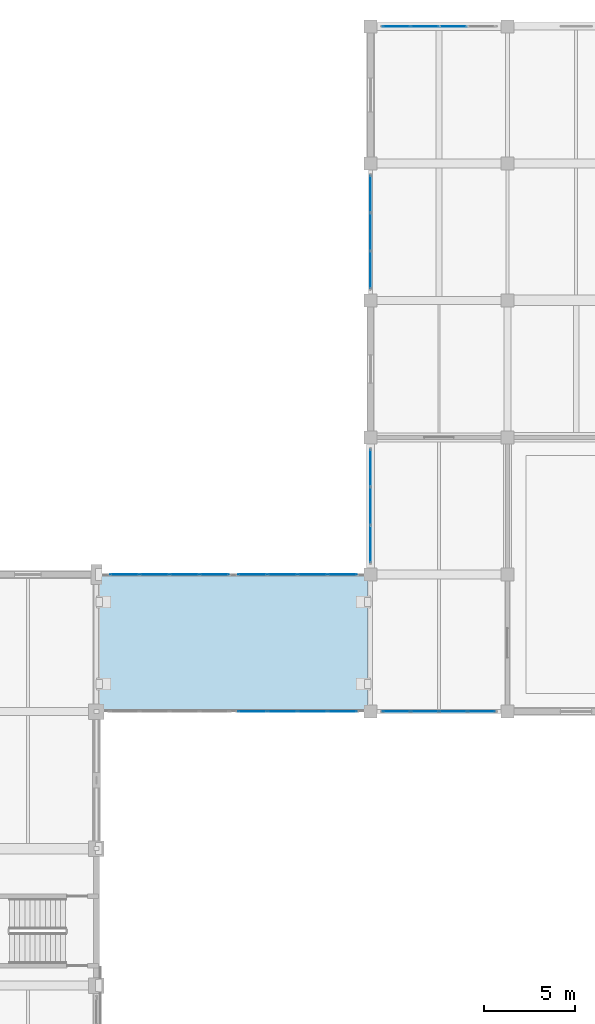
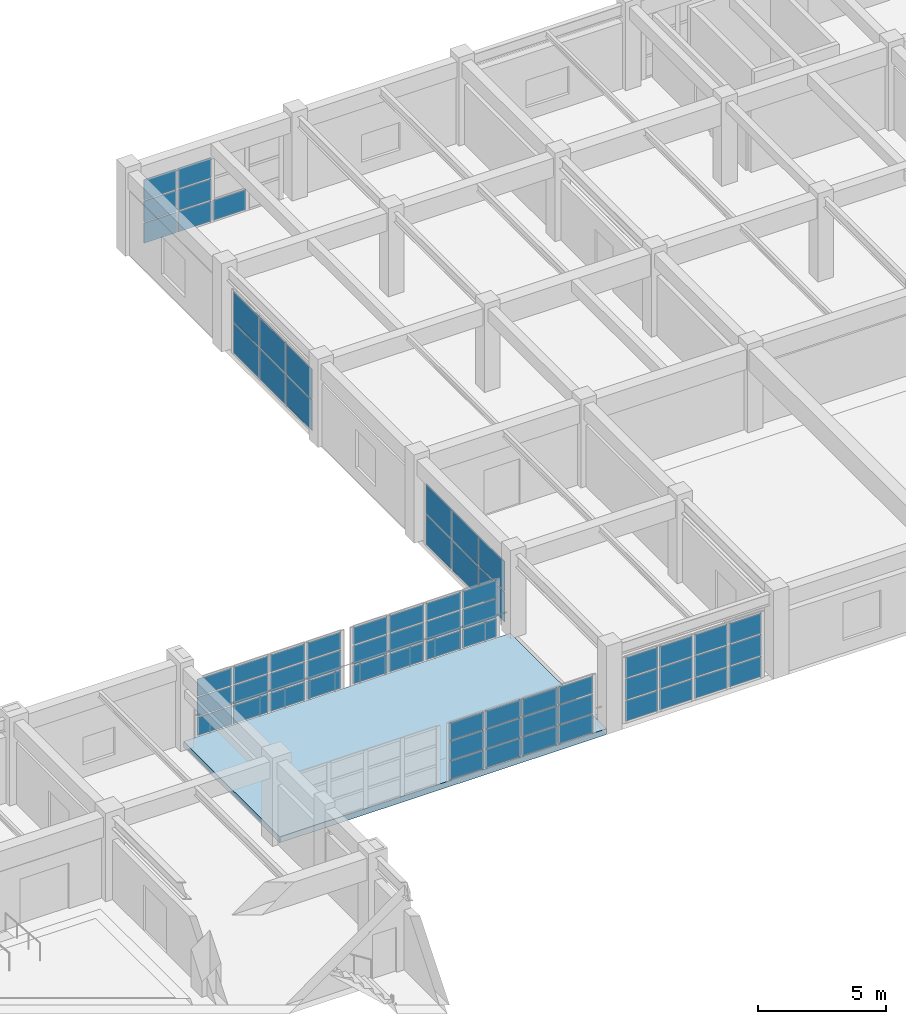
# One storey, part 90 of 132: 67 plates, 1 slab, 7 elements without a shape of their own.
"""IFC4 building model written with IfcOpenShell, lengths in metres."""

from ifc_helpers import new_model, si_unit, direction, frame, origin, origin_2d, place, context, subcontext, project, spatial, polyline, rectangle, outline, extrude, material, layer, layer_set, type_object, element, aggregate, save


model = new_model("IFC4")

# Units and contexts
model_context = context("Model", 3, precision=1e-05, world=origin(), true_north=direction((0.0, 1.0)))
body_context = subcontext(model_context, "Body", "Model", "MODEL_VIEW")
ifc_project = project(units=[si_unit("LENGTHUNIT", "METRE"), si_unit("AREAUNIT", "SQUARE_METRE"), si_unit("VOLUMEUNIT", "CUBIC_METRE"), si_unit("PLANEANGLEUNIT", "RADIAN"), si_unit("MASSUNIT", "GRAM", prefix="KILO")], contexts=[model_context])

# Site, building, storey
site_placement = place(None, origin())
site = spatial("IfcSite", under=ifc_project, at=site_placement, CompositionType="ELEMENT")
building_placement = place(site_placement, origin())
building = spatial("IfcBuilding", under=site, at=building_placement, Name="Qasida Concert Hall", CompositionType="ELEMENT")
storey_placement = place(building_placement, frame((0.0, 0.0, 4.800048828125)))
storey = spatial("IfcBuildingStorey", under=building, at=storey_placement, Name="L01", CompositionType="ELEMENT", Elevation=4.800048828125)

# Curtain wall, plates
ifc_material_1 = material(Name="Architectural bronze-anodized aluminium and low-E glass", Category="aluminium")
curtain_wall_type_1 = type_object("IfcCurtainWallType", Name="CW-03", PredefinedType="NOTDEFINED", material=ifc_material_1)
curtain_wall_1_placement = place(storey_placement, origin())
curtain_wall_1 = element("IfcCurtainWall", 1, at=curtain_wall_1_placement, inside=storey, type_object=curtain_wall_type_1, Name="L01 curtain wall CW-03 0160", PredefinedType="NOTDEFINED")
ifc_material_2 = material(Name="Solar-control low-E double glazing", Category="glass")
ifc_layer_1 = layer(ifc_material_2, 0.031982421875, Name="Solar-control low-E double glazing")
ifc_layer_set_1 = layer_set([ifc_layer_1], Name="Solar-control low-E double glazing")
plate_type_1 = type_object("IfcPlateType", Name="PLT-CWP-2", PredefinedType="CURTAIN_PANEL", material=ifc_layer_set_1)
plate_1_placement = place(storey_placement, frame((121.418701171875, 75.0, 0.06005859375), z_axis=(0.0, 0.0, 1.0), x_axis=(1.0, 0.0, 0.0)))
plate_1 = element("IfcPlate", 2, at=plate_1_placement, type_object=plate_type_1, Name="CW-03 panel 1.1", PredefinedType="CURTAIN_PANEL", context=body_context, shape_type="SweptSolid", body=[
    extrude(rectangle(XDim=1.467529296875, YDim=0.031982421875, at=origin_2d()), origin(), (0.0, 0.0, 1.0), 0.956787109375),
])
plate_2_placement = place(storey_placement, frame((121.418701171875, 75.0, 1.07666015625), z_axis=(0.0, 0.0, 1.0), x_axis=(1.0, 0.0, 0.0)))
plate_2 = element("IfcPlate", 3, at=plate_2_placement, type_object=plate_type_1, Name="CW-03 panel 1.2", PredefinedType="CURTAIN_PANEL", context=body_context, shape_type="SweptSolid", body=[
    extrude(rectangle(XDim=1.467529296875, YDim=0.031982421875, at=origin_2d()), origin(), (0.0, 0.0, 1.0), 0.986572265625),
])
plate_3_placement = place(storey_placement, frame((121.418701171875, 75.0, 2.123046875), z_axis=(0.0, 0.0, 1.0), x_axis=(1.0, 0.0, 0.0)))
plate_3 = element("IfcPlate", 4, at=plate_3_placement, type_object=plate_type_1, Name="CW-03 panel 1.3", PredefinedType="CURTAIN_PANEL", context=body_context, shape_type="SweptSolid", body=[
    extrude(rectangle(XDim=1.467529296875, YDim=0.031982421875, at=origin_2d()), origin(), (0.0, 0.0, 1.0), 0.956787109375),
])
plate_4_placement = place(storey_placement, frame((122.967529296875, 75.0, 0.06005859375), z_axis=(0.0, 0.0, 1.0), x_axis=(1.0, 0.0, 0.0)))
plate_4 = element("IfcPlate", 5, at=plate_4_placement, type_object=plate_type_1, Name="CW-03 panel 2.1", PredefinedType="CURTAIN_PANEL", context=body_context, shape_type="SweptSolid", body=[
    extrude(rectangle(XDim=1.5, YDim=0.031982421875, at=origin_2d()), origin(), (0.0, 0.0, 1.0), 0.956787109375),
])
plate_5_placement = place(storey_placement, frame((122.967529296875, 75.0, 1.07666015625), z_axis=(0.0, 0.0, 1.0), x_axis=(1.0, 0.0, 0.0)))
plate_5 = element("IfcPlate", 6, at=plate_5_placement, type_object=plate_type_1, Name="CW-03 panel 2.2", PredefinedType="CURTAIN_PANEL", context=body_context, shape_type="SweptSolid", body=[
    extrude(rectangle(XDim=1.5, YDim=0.031982421875, at=origin_2d()), origin(), (0.0, 0.0, 1.0), 0.986572265625),
])
plate_6_placement = place(storey_placement, frame((122.967529296875, 75.0, 2.123046875), z_axis=(0.0, 0.0, 1.0), x_axis=(1.0, 0.0, 0.0)))
plate_6 = element("IfcPlate", 7, at=plate_6_placement, type_object=plate_type_1, Name="CW-03 panel 2.3", PredefinedType="CURTAIN_PANEL", context=body_context, shape_type="SweptSolid", body=[
    extrude(rectangle(XDim=1.5, YDim=0.031982421875, at=origin_2d()), origin(), (0.0, 0.0, 1.0), 0.956787109375),
])
plate_7_placement = place(storey_placement, frame((124.532470703125, 75.0, 0.06005859375), z_axis=(0.0, 0.0, 1.0), x_axis=(1.0, 0.0, 0.0)))
plate_7 = element("IfcPlate", 8, at=plate_7_placement, type_object=plate_type_1, Name="CW-03 panel 3.1", PredefinedType="CURTAIN_PANEL", context=body_context, shape_type="SweptSolid", body=[
    extrude(rectangle(XDim=1.5, YDim=0.031982421875, at=origin_2d()), origin(), (0.0, 0.0, 1.0), 0.956787109375),
])
plate_8_placement = place(storey_placement, frame((124.532470703125, 75.0, 1.07666015625), z_axis=(0.0, 0.0, 1.0), x_axis=(1.0, 0.0, 0.0)))
plate_8 = element("IfcPlate", 9, at=plate_8_placement, type_object=plate_type_1, Name="CW-03 panel 3.2", PredefinedType="CURTAIN_PANEL", context=body_context, shape_type="SweptSolid", body=[
    extrude(rectangle(XDim=1.5, YDim=0.031982421875, at=origin_2d()), origin(), (0.0, 0.0, 1.0), 0.986572265625),
])
plate_9_placement = place(storey_placement, frame((124.532470703125, 75.0, 2.123046875), z_axis=(0.0, 0.0, 1.0), x_axis=(1.0, 0.0, 0.0)))
plate_9 = element("IfcPlate", 10, at=plate_9_placement, type_object=plate_type_1, Name="CW-03 panel 3.3", PredefinedType="CURTAIN_PANEL", context=body_context, shape_type="SweptSolid", body=[
    extrude(rectangle(XDim=1.5, YDim=0.031982421875, at=origin_2d()), origin(), (0.0, 0.0, 1.0), 0.956787109375),
])
plate_10_placement = place(storey_placement, frame((126.081298828125, 75.0, 0.06005859375), z_axis=(0.0, 0.0, 1.0), x_axis=(1.0, 0.0, 0.0)))
plate_10 = element("IfcPlate", 11, at=plate_10_placement, type_object=plate_type_1, Name="CW-03 panel 4.1", PredefinedType="CURTAIN_PANEL", context=body_context, shape_type="SweptSolid", body=[
    extrude(rectangle(XDim=1.467529296875, YDim=0.031982421875, at=origin_2d()), origin(), (0.0, 0.0, 1.0), 0.956787109375),
])
plate_11_placement = place(storey_placement, frame((126.081298828125, 75.0, 1.07666015625), z_axis=(0.0, 0.0, 1.0), x_axis=(1.0, 0.0, 0.0)))
plate_11 = element("IfcPlate", 12, at=plate_11_placement, type_object=plate_type_1, Name="CW-03 panel 4.2", PredefinedType="CURTAIN_PANEL", context=body_context, shape_type="SweptSolid", body=[
    extrude(rectangle(XDim=1.467529296875, YDim=0.031982421875, at=origin_2d()), origin(), (0.0, 0.0, 1.0), 0.986572265625),
])
plate_12_placement = place(storey_placement, frame((126.081298828125, 75.0, 2.123046875), z_axis=(0.0, 0.0, 1.0), x_axis=(1.0, 0.0, 0.0)))
plate_12 = element("IfcPlate", 13, at=plate_12_placement, type_object=plate_type_1, Name="CW-03 panel 4.3", PredefinedType="CURTAIN_PANEL", context=body_context, shape_type="SweptSolid", body=[
    extrude(rectangle(XDim=1.467529296875, YDim=0.031982421875, at=origin_2d()), origin(), (0.0, 0.0, 1.0), 0.956787109375),
])
aggregate(curtain_wall_1, [plate_1, plate_2, plate_3, plate_4, plate_5, plate_6, plate_7, plate_8, plate_9, plate_10, plate_11, plate_12])

curtain_wall_type_2 = type_object("IfcCurtainWallType", Name="CW-04", PredefinedType="NOTDEFINED", material=ifc_material_1)
curtain_wall_2_placement = place(storey_placement, origin())
curtain_wall_2 = element("IfcCurtainWall", 14, at=curtain_wall_2_placement, inside=storey, type_object=curtain_wall_type_2, Name="L01 curtain wall CW-04 0161", PredefinedType="NOTDEFINED")
plate_13_placement = place(storey_placement, frame((121.418701171875, 112.5, 0.06005859375), z_axis=(0.0, 0.0, 1.0), x_axis=(1.0, 0.0, 0.0)))
plate_13 = element("IfcPlate", 15, at=plate_13_placement, type_object=plate_type_1, Name="CW-04 panel 1.1", PredefinedType="CURTAIN_PANEL", context=body_context, shape_type="SweptSolid", body=[
    extrude(rectangle(XDim=1.467529296875, YDim=0.031982421875, at=origin_2d()), origin(), (0.0, 0.0, 1.0), 0.956787109375),
])
plate_14_placement = place(storey_placement, frame((121.418701171875, 112.5, 1.07666015625), z_axis=(0.0, 0.0, 1.0), x_axis=(1.0, 0.0, 0.0)))
plate_14 = element("IfcPlate", 16, at=plate_14_placement, type_object=plate_type_1, Name="CW-04 panel 1.2", PredefinedType="CURTAIN_PANEL", context=body_context, shape_type="SweptSolid", body=[
    extrude(rectangle(XDim=1.467529296875, YDim=0.031982421875, at=origin_2d()), origin(), (0.0, 0.0, 1.0), 0.986572265625),
])
plate_15_placement = place(storey_placement, frame((121.418701171875, 112.5, 2.123046875), z_axis=(0.0, 0.0, 1.0), x_axis=(1.0, 0.0, 0.0)))
plate_15 = element("IfcPlate", 17, at=plate_15_placement, type_object=plate_type_1, Name="CW-04 panel 1.3", PredefinedType="CURTAIN_PANEL", context=body_context, shape_type="SweptSolid", body=[
    extrude(rectangle(XDim=1.467529296875, YDim=0.031982421875, at=origin_2d()), origin(), (0.0, 0.0, 1.0), 0.956787109375),
])
plate_16_placement = place(storey_placement, frame((122.967529296875, 112.5, 0.06005859375), z_axis=(0.0, 0.0, 1.0), x_axis=(1.0, 0.0, 0.0)))
plate_16 = element("IfcPlate", 18, at=plate_16_placement, type_object=plate_type_1, Name="CW-04 panel 2.1", PredefinedType="CURTAIN_PANEL", context=body_context, shape_type="SweptSolid", body=[
    extrude(rectangle(XDim=1.5, YDim=0.031982421875, at=origin_2d()), origin(), (0.0, 0.0, 1.0), 0.956787109375),
])
plate_17_placement = place(storey_placement, frame((122.967529296875, 112.5, 1.07666015625), z_axis=(0.0, 0.0, 1.0), x_axis=(1.0, 0.0, 0.0)))
plate_17 = element("IfcPlate", 19, at=plate_17_placement, type_object=plate_type_1, Name="CW-04 panel 2.2", PredefinedType="CURTAIN_PANEL", context=body_context, shape_type="SweptSolid", body=[
    extrude(rectangle(XDim=1.5, YDim=0.031982421875, at=origin_2d()), origin(), (0.0, 0.0, 1.0), 0.986572265625),
])
plate_18_placement = place(storey_placement, frame((122.967529296875, 112.5, 2.123046875), z_axis=(0.0, 0.0, 1.0), x_axis=(1.0, 0.0, 0.0)))
plate_18 = element("IfcPlate", 20, at=plate_18_placement, type_object=plate_type_1, Name="CW-04 panel 2.3", PredefinedType="CURTAIN_PANEL", context=body_context, shape_type="SweptSolid", body=[
    extrude(rectangle(XDim=1.5, YDim=0.031982421875, at=origin_2d()), origin(), (0.0, 0.0, 1.0), 0.956787109375),
])
plate_19_placement = place(storey_placement, frame((124.532470703125, 112.5, 0.06005859375), z_axis=(0.0, 0.0, 1.0), x_axis=(1.0, 0.0, 0.0)))
plate_19 = element("IfcPlate", 21, at=plate_19_placement, type_object=plate_type_1, Name="CW-04 panel 3.1", PredefinedType="CURTAIN_PANEL", context=body_context, shape_type="SweptSolid", body=[
    extrude(rectangle(XDim=1.5, YDim=0.031982421875, at=origin_2d()), origin(), (0.0, 0.0, 1.0), 0.956787109375),
])
aggregate(curtain_wall_2, [plate_13, plate_14, plate_15, plate_16, plate_17, plate_18, plate_19])

curtain_wall_type_3 = type_object("IfcCurtainWallType", Name="CW-09", PredefinedType="NOTDEFINED", material=ifc_material_1)
curtain_wall_3_placement = place(storey_placement, origin())
curtain_wall_3 = element("IfcCurtainWall", 22, at=curtain_wall_3_placement, inside=storey, type_object=curtain_wall_type_3, Name="L01 curtain wall CW-09 0165", PredefinedType="NOTDEFINED")
ifc_layer_2 = layer(ifc_material_2, 0.028076171875, Name="Solar-control low-E double glazing")
ifc_layer_set_2 = layer_set([ifc_layer_2], Name="Solar-control low-E double glazing")
plate_type_2 = type_object("IfcPlateType", Name="PLT-CWP-3", PredefinedType="CURTAIN_PANEL", material=ifc_layer_set_2)
plate_20_placement = place(storey_placement, frame((120.0, 84.17822265625, 0.06005859375), z_axis=(0.0, 0.0, 1.0), x_axis=(0.0, 1.0, 0.0)))
plate_20 = element("IfcPlate", 23, at=plate_20_placement, type_object=plate_type_2, Name="CW-09 panel 1.1", PredefinedType="CURTAIN_PANEL", context=body_context, shape_type="SweptSolid", body=[
    extrude(rectangle(XDim=1.99658203125, YDim=0.028076171875, at=origin_2d()), origin(), (0.0, 0.0, 1.0), 1.405029296875),
])
plate_21_placement = place(storey_placement, frame((120.0, 84.17822265625, 1.52490234375), z_axis=(0.0, 0.0, 1.0), x_axis=(0.0, 1.0, 0.0)))
plate_21 = element("IfcPlate", 24, at=plate_21_placement, type_object=plate_type_2, Name="CW-09 panel 1.2", PredefinedType="CURTAIN_PANEL", context=body_context, shape_type="SweptSolid", body=[
    extrude(rectangle(XDim=1.99658203125, YDim=0.028076171875, at=origin_2d()), origin(), (0.0, 0.0, 1.0), 1.405029296875),
])
plate_22_placement = place(storey_placement, frame((120.0, 86.25, 0.06005859375), z_axis=(0.0, 0.0, 1.0), x_axis=(0.0, 1.0, 0.0)))
plate_22 = element("IfcPlate", 25, at=plate_22_placement, type_object=plate_type_2, Name="CW-09 panel 2.1", PredefinedType="CURTAIN_PANEL", context=body_context, shape_type="SweptSolid", body=[
    extrude(rectangle(XDim=2.026611328125, YDim=0.028076171875, at=origin_2d()), origin(), (0.0, 0.0, 1.0), 1.405029296875),
])
plate_23_placement = place(storey_placement, frame((120.0, 86.25, 1.52490234375), z_axis=(0.0, 0.0, 1.0), x_axis=(0.0, 1.0, 0.0)))
plate_23 = element("IfcPlate", 26, at=plate_23_placement, type_object=plate_type_2, Name="CW-09 panel 2.2", PredefinedType="CURTAIN_PANEL", context=body_context, shape_type="SweptSolid", body=[
    extrude(rectangle(XDim=2.026611328125, YDim=0.028076171875, at=origin_2d()), origin(), (0.0, 0.0, 1.0), 1.405029296875),
])
plate_24_placement = place(storey_placement, frame((120.0, 88.32177734375, 0.06005859375), z_axis=(0.0, 0.0, 1.0), x_axis=(0.0, 1.0, 0.0)))
plate_24 = element("IfcPlate", 27, at=plate_24_placement, type_object=plate_type_2, Name="CW-09 panel 3.1", PredefinedType="CURTAIN_PANEL", context=body_context, shape_type="SweptSolid", body=[
    extrude(rectangle(XDim=1.99658203125, YDim=0.028076171875, at=origin_2d()), origin(), (0.0, 0.0, 1.0), 1.405029296875),
])
plate_25_placement = place(storey_placement, frame((120.0, 88.32177734375, 1.52490234375), z_axis=(0.0, 0.0, 1.0), x_axis=(0.0, 1.0, 0.0)))
plate_25 = element("IfcPlate", 28, at=plate_25_placement, type_object=plate_type_2, Name="CW-09 panel 3.2", PredefinedType="CURTAIN_PANEL", context=body_context, shape_type="SweptSolid", body=[
    extrude(rectangle(XDim=1.99658203125, YDim=0.028076171875, at=origin_2d()), origin(), (0.0, 0.0, 1.0), 1.405029296875),
])
aggregate(curtain_wall_3, [plate_20, plate_21, plate_22, plate_23, plate_24, plate_25])

curtain_wall_4_placement = place(storey_placement, origin())
curtain_wall_4 = element("IfcCurtainWall", 29, at=curtain_wall_4_placement, inside=storey, type_object=curtain_wall_type_3, Name="L01 curtain wall CW-09 0167", PredefinedType="NOTDEFINED")
plate_26_placement = place(storey_placement, frame((120.0, 99.17822265625, 0.06005859375), z_axis=(0.0, 0.0, 1.0), x_axis=(0.0, 1.0, 0.0)))
plate_26 = element("IfcPlate", 30, at=plate_26_placement, type_object=plate_type_2, Name="CW-09 panel 1.1", PredefinedType="CURTAIN_PANEL", context=body_context, shape_type="SweptSolid", body=[
    extrude(rectangle(XDim=1.99658203125, YDim=0.028076171875, at=origin_2d()), origin(), (0.0, 0.0, 1.0), 1.429931640625),
])
plate_27_placement = place(storey_placement, frame((120.0, 99.17822265625, 1.5498046875), z_axis=(0.0, 0.0, 1.0), x_axis=(0.0, 1.0, 0.0)))
plate_27 = element("IfcPlate", 31, at=plate_27_placement, type_object=plate_type_2, Name="CW-09 panel 1.2", PredefinedType="CURTAIN_PANEL", context=body_context, shape_type="SweptSolid", body=[
    extrude(rectangle(XDim=1.99658203125, YDim=0.028076171875, at=origin_2d()), origin(), (0.0, 0.0, 1.0), 1.429931640625),
])
plate_28_placement = place(storey_placement, frame((120.0, 101.25, 0.06005859375), z_axis=(0.0, 0.0, 1.0), x_axis=(0.0, 1.0, 0.0)))
plate_28 = element("IfcPlate", 32, at=plate_28_placement, type_object=plate_type_2, Name="CW-09 panel 2.1", PredefinedType="CURTAIN_PANEL", context=body_context, shape_type="SweptSolid", body=[
    extrude(rectangle(XDim=2.026611328125, YDim=0.028076171875, at=origin_2d()), origin(), (0.0, 0.0, 1.0), 1.429931640625),
])
plate_29_placement = place(storey_placement, frame((120.0, 101.25, 1.5498046875), z_axis=(0.0, 0.0, 1.0), x_axis=(0.0, 1.0, 0.0)))
plate_29 = element("IfcPlate", 33, at=plate_29_placement, type_object=plate_type_2, Name="CW-09 panel 2.2", PredefinedType="CURTAIN_PANEL", context=body_context, shape_type="SweptSolid", body=[
    extrude(rectangle(XDim=2.026611328125, YDim=0.028076171875, at=origin_2d()), origin(), (0.0, 0.0, 1.0), 1.429931640625),
])
plate_30_placement = place(storey_placement, frame((120.0, 103.32177734375, 0.06005859375), z_axis=(0.0, 0.0, 1.0), x_axis=(0.0, 1.0, 0.0)))
plate_30 = element("IfcPlate", 34, at=plate_30_placement, type_object=plate_type_2, Name="CW-09 panel 3.1", PredefinedType="CURTAIN_PANEL", context=body_context, shape_type="SweptSolid", body=[
    extrude(rectangle(XDim=1.99658203125, YDim=0.028076171875, at=origin_2d()), origin(), (0.0, 0.0, 1.0), 1.429931640625),
])
plate_31_placement = place(storey_placement, frame((120.0, 103.32177734375, 1.5498046875), z_axis=(0.0, 0.0, 1.0), x_axis=(0.0, 1.0, 0.0)))
plate_31 = element("IfcPlate", 35, at=plate_31_placement, type_object=plate_type_2, Name="CW-09 panel 3.2", PredefinedType="CURTAIN_PANEL", context=body_context, shape_type="SweptSolid", body=[
    extrude(rectangle(XDim=1.99658203125, YDim=0.028076171875, at=origin_2d()), origin(), (0.0, 0.0, 1.0), 1.429931640625),
])
aggregate(curtain_wall_4, [plate_26, plate_27, plate_28, plate_29, plate_30, plate_31])

curtain_wall_type_4 = type_object("IfcCurtainWallType", Name="CW-08", PredefinedType="NOTDEFINED", material=ifc_material_1)
curtain_wall_5_placement = place(storey_placement, origin())
curtain_wall_5 = element("IfcCurtainWall", 36, at=curtain_wall_5_placement, inside=storey, type_object=curtain_wall_type_4, Name="L01 link bridge glazing 0227", PredefinedType="NOTDEFINED")
ifc_layer_3 = layer(ifc_material_2, 0.02392578125, Name="Solar-control low-E double glazing")
ifc_layer_set_3 = layer_set([ifc_layer_3], Name="Solar-control low-E double glazing")
plate_type_3 = type_object("IfcPlateType", Name="PLT-CWP-5", PredefinedType="CURTAIN_PANEL", material=ifc_layer_set_3)
plate_32_placement = place(storey_placement, frame((106.541259765625, 82.5, 0.06005859375), z_axis=(0.0, 0.0, 1.0), x_axis=(1.0, 0.0, 0.0)))
plate_32 = element("IfcPlate", 37, at=plate_32_placement, type_object=plate_type_3, Name="CW-08 panel 1.1", PredefinedType="CURTAIN_PANEL", context=body_context, shape_type="SweptSolid", body=[
    extrude(rectangle(XDim=1.552490234375, YDim=0.02392578125, at=origin_2d()), origin(), (0.0, 0.0, 1.0), 0.860107421875),
])
plate_33_placement = place(storey_placement, frame((106.541259765625, 82.5, 0.97998046875), z_axis=(0.0, 0.0, 1.0), x_axis=(1.0, 0.0, 0.0)))
plate_33 = element("IfcPlate", 38, at=plate_33_placement, type_object=plate_type_3, Name="CW-08 panel 1.2", PredefinedType="CURTAIN_PANEL", context=body_context, shape_type="SweptSolid", body=[
    extrude(rectangle(XDim=1.552490234375, YDim=0.02392578125, at=origin_2d()), origin(), (0.0, 0.0, 1.0), 0.889892578125),
])
plate_34_placement = place(storey_placement, frame((106.541259765625, 82.5, 1.929931640625), z_axis=(0.0, 0.0, 1.0), x_axis=(1.0, 0.0, 0.0)))
plate_34 = element("IfcPlate", 39, at=plate_34_placement, type_object=plate_type_3, Name="CW-08 panel 1.3", PredefinedType="CURTAIN_PANEL", context=body_context, shape_type="SweptSolid", body=[
    extrude(rectangle(XDim=1.552490234375, YDim=0.02392578125, at=origin_2d()), origin(), (0.0, 0.0, 1.0), 0.81005859375),
])
plate_35_placement = place(storey_placement, frame((108.175048828125, 82.5, 0.06005859375), z_axis=(0.0, 0.0, 1.0), x_axis=(1.0, 0.0, 0.0)))
plate_35 = element("IfcPlate", 40, at=plate_35_placement, type_object=plate_type_3, Name="CW-08 panel 2.1", PredefinedType="CURTAIN_PANEL", context=body_context, shape_type="SweptSolid", body=[
    extrude(rectangle(XDim=1.5849609375, YDim=0.02392578125, at=origin_2d()), origin(), (0.0, 0.0, 1.0), 0.860107421875),
])
plate_36_placement = place(storey_placement, frame((108.175048828125, 82.5, 0.97998046875), z_axis=(0.0, 0.0, 1.0), x_axis=(1.0, 0.0, 0.0)))
plate_36 = element("IfcPlate", 41, at=plate_36_placement, type_object=plate_type_3, Name="CW-08 panel 2.2", PredefinedType="CURTAIN_PANEL", context=body_context, shape_type="SweptSolid", body=[
    extrude(rectangle(XDim=1.5849609375, YDim=0.02392578125, at=origin_2d()), origin(), (0.0, 0.0, 1.0), 0.889892578125),
])
plate_37_placement = place(storey_placement, frame((108.175048828125, 82.5, 1.929931640625), z_axis=(0.0, 0.0, 1.0), x_axis=(1.0, 0.0, 0.0)))
plate_37 = element("IfcPlate", 42, at=plate_37_placement, type_object=plate_type_3, Name="CW-08 panel 2.3", PredefinedType="CURTAIN_PANEL", context=body_context, shape_type="SweptSolid", body=[
    extrude(rectangle(XDim=1.5849609375, YDim=0.02392578125, at=origin_2d()), origin(), (0.0, 0.0, 1.0), 0.81005859375),
])
plate_38_placement = place(storey_placement, frame((109.824951171875, 82.5, 0.06005859375), z_axis=(0.0, 0.0, 1.0), x_axis=(1.0, 0.0, 0.0)))
plate_38 = element("IfcPlate", 43, at=plate_38_placement, type_object=plate_type_3, Name="CW-08 panel 3.1", PredefinedType="CURTAIN_PANEL", context=body_context, shape_type="SweptSolid", body=[
    extrude(rectangle(XDim=1.5849609375, YDim=0.02392578125, at=origin_2d()), origin(), (0.0, 0.0, 1.0), 0.860107421875),
])
plate_39_placement = place(storey_placement, frame((109.824951171875, 82.5, 0.97998046875), z_axis=(0.0, 0.0, 1.0), x_axis=(1.0, 0.0, 0.0)))
plate_39 = element("IfcPlate", 44, at=plate_39_placement, type_object=plate_type_3, Name="CW-08 panel 3.2", PredefinedType="CURTAIN_PANEL", context=body_context, shape_type="SweptSolid", body=[
    extrude(rectangle(XDim=1.5849609375, YDim=0.02392578125, at=origin_2d()), origin(), (0.0, 0.0, 1.0), 0.889892578125),
])
plate_40_placement = place(storey_placement, frame((109.824951171875, 82.5, 1.929931640625), z_axis=(0.0, 0.0, 1.0), x_axis=(1.0, 0.0, 0.0)))
plate_40 = element("IfcPlate", 45, at=plate_40_placement, type_object=plate_type_3, Name="CW-08 panel 3.3", PredefinedType="CURTAIN_PANEL", context=body_context, shape_type="SweptSolid", body=[
    extrude(rectangle(XDim=1.5849609375, YDim=0.02392578125, at=origin_2d()), origin(), (0.0, 0.0, 1.0), 0.81005859375),
])
plate_41_placement = place(storey_placement, frame((111.458740234375, 82.5, 0.06005859375), z_axis=(0.0, 0.0, 1.0), x_axis=(1.0, 0.0, 0.0)))
plate_41 = element("IfcPlate", 46, at=plate_41_placement, type_object=plate_type_3, Name="CW-08 panel 4.1", PredefinedType="CURTAIN_PANEL", context=body_context, shape_type="SweptSolid", body=[
    extrude(rectangle(XDim=1.552490234375, YDim=0.02392578125, at=origin_2d()), origin(), (0.0, 0.0, 1.0), 0.860107421875),
])
plate_42_placement = place(storey_placement, frame((111.458740234375, 82.5, 0.97998046875), z_axis=(0.0, 0.0, 1.0), x_axis=(1.0, 0.0, 0.0)))
plate_42 = element("IfcPlate", 47, at=plate_42_placement, type_object=plate_type_3, Name="CW-08 panel 4.2", PredefinedType="CURTAIN_PANEL", context=body_context, shape_type="SweptSolid", body=[
    extrude(rectangle(XDim=1.552490234375, YDim=0.02392578125, at=origin_2d()), origin(), (0.0, 0.0, 1.0), 0.889892578125),
])
plate_43_placement = place(storey_placement, frame((111.458740234375, 82.5, 1.929931640625), z_axis=(0.0, 0.0, 1.0), x_axis=(1.0, 0.0, 0.0)))
plate_43 = element("IfcPlate", 48, at=plate_43_placement, type_object=plate_type_3, Name="CW-08 panel 4.3", PredefinedType="CURTAIN_PANEL", context=body_context, shape_type="SweptSolid", body=[
    extrude(rectangle(XDim=1.552490234375, YDim=0.02392578125, at=origin_2d()), origin(), (0.0, 0.0, 1.0), 0.81005859375),
])
aggregate(curtain_wall_5, [plate_32, plate_33, plate_34, plate_35, plate_36, plate_37, plate_38, plate_39, plate_40, plate_41, plate_42, plate_43])

curtain_wall_6_placement = place(storey_placement, origin())
curtain_wall_6 = element("IfcCurtainWall", 49, at=curtain_wall_6_placement, inside=storey, type_object=curtain_wall_type_4, Name="L01 link bridge glazing 0228", PredefinedType="NOTDEFINED")
plate_44_placement = place(storey_placement, frame((113.541259765625, 75.0, 0.06005859375), z_axis=(0.0, 0.0, 1.0), x_axis=(1.0, 0.0, 0.0)))
plate_44 = element("IfcPlate", 50, at=plate_44_placement, type_object=plate_type_3, Name="CW-08 panel 1.1", PredefinedType="CURTAIN_PANEL", context=body_context, shape_type="SweptSolid", body=[
    extrude(rectangle(XDim=1.552490234375, YDim=0.02392578125, at=origin_2d()), origin(), (0.0, 0.0, 1.0), 0.860107421875),
])
plate_45_placement = place(storey_placement, frame((113.541259765625, 75.0, 0.97998046875), z_axis=(0.0, 0.0, 1.0), x_axis=(1.0, 0.0, 0.0)))
plate_45 = element("IfcPlate", 51, at=plate_45_placement, type_object=plate_type_3, Name="CW-08 panel 1.2", PredefinedType="CURTAIN_PANEL", context=body_context, shape_type="SweptSolid", body=[
    extrude(rectangle(XDim=1.552490234375, YDim=0.02392578125, at=origin_2d()), origin(), (0.0, 0.0, 1.0), 0.889892578125),
])
plate_46_placement = place(storey_placement, frame((113.541259765625, 75.0, 1.929931640625), z_axis=(0.0, 0.0, 1.0), x_axis=(1.0, 0.0, 0.0)))
plate_46 = element("IfcPlate", 52, at=plate_46_placement, type_object=plate_type_3, Name="CW-08 panel 1.3", PredefinedType="CURTAIN_PANEL", context=body_context, shape_type="SweptSolid", body=[
    extrude(rectangle(XDim=1.552490234375, YDim=0.02392578125, at=origin_2d()), origin(), (0.0, 0.0, 1.0), 0.81005859375),
])
plate_47_placement = place(storey_placement, frame((115.175048828125, 75.0, 0.06005859375), z_axis=(0.0, 0.0, 1.0), x_axis=(1.0, 0.0, 0.0)))
plate_47 = element("IfcPlate", 53, at=plate_47_placement, type_object=plate_type_3, Name="CW-08 panel 2.1", PredefinedType="CURTAIN_PANEL", context=body_context, shape_type="SweptSolid", body=[
    extrude(rectangle(XDim=1.5849609375, YDim=0.02392578125, at=origin_2d()), origin(), (0.0, 0.0, 1.0), 0.860107421875),
])
plate_48_placement = place(storey_placement, frame((115.175048828125, 75.0, 0.97998046875), z_axis=(0.0, 0.0, 1.0), x_axis=(1.0, 0.0, 0.0)))
plate_48 = element("IfcPlate", 54, at=plate_48_placement, type_object=plate_type_3, Name="CW-08 panel 2.2", PredefinedType="CURTAIN_PANEL", context=body_context, shape_type="SweptSolid", body=[
    extrude(rectangle(XDim=1.5849609375, YDim=0.02392578125, at=origin_2d()), origin(), (0.0, 0.0, 1.0), 0.889892578125),
])
plate_49_placement = place(storey_placement, frame((115.175048828125, 75.0, 1.929931640625), z_axis=(0.0, 0.0, 1.0), x_axis=(1.0, 0.0, 0.0)))
plate_49 = element("IfcPlate", 55, at=plate_49_placement, type_object=plate_type_3, Name="CW-08 panel 2.3", PredefinedType="CURTAIN_PANEL", context=body_context, shape_type="SweptSolid", body=[
    extrude(rectangle(XDim=1.5849609375, YDim=0.02392578125, at=origin_2d()), origin(), (0.0, 0.0, 1.0), 0.81005859375),
])
plate_50_placement = place(storey_placement, frame((116.824951171875, 75.0, 0.06005859375), z_axis=(0.0, 0.0, 1.0), x_axis=(1.0, 0.0, 0.0)))
plate_50 = element("IfcPlate", 56, at=plate_50_placement, type_object=plate_type_3, Name="CW-08 panel 3.1", PredefinedType="CURTAIN_PANEL", context=body_context, shape_type="SweptSolid", body=[
    extrude(rectangle(XDim=1.5849609375, YDim=0.02392578125, at=origin_2d()), origin(), (0.0, 0.0, 1.0), 0.860107421875),
])
plate_51_placement = place(storey_placement, frame((116.824951171875, 75.0, 0.97998046875), z_axis=(0.0, 0.0, 1.0), x_axis=(1.0, 0.0, 0.0)))
plate_51 = element("IfcPlate", 57, at=plate_51_placement, type_object=plate_type_3, Name="CW-08 panel 3.2", PredefinedType="CURTAIN_PANEL", context=body_context, shape_type="SweptSolid", body=[
    extrude(rectangle(XDim=1.5849609375, YDim=0.02392578125, at=origin_2d()), origin(), (0.0, 0.0, 1.0), 0.889892578125),
])
plate_52_placement = place(storey_placement, frame((116.824951171875, 75.0, 1.929931640625), z_axis=(0.0, 0.0, 1.0), x_axis=(1.0, 0.0, 0.0)))
plate_52 = element("IfcPlate", 58, at=plate_52_placement, type_object=plate_type_3, Name="CW-08 panel 3.3", PredefinedType="CURTAIN_PANEL", context=body_context, shape_type="SweptSolid", body=[
    extrude(rectangle(XDim=1.5849609375, YDim=0.02392578125, at=origin_2d()), origin(), (0.0, 0.0, 1.0), 0.81005859375),
])
plate_53_placement = place(storey_placement, frame((118.458740234375, 75.0, 0.06005859375), z_axis=(0.0, 0.0, 1.0), x_axis=(1.0, 0.0, 0.0)))
plate_53 = element("IfcPlate", 59, at=plate_53_placement, type_object=plate_type_3, Name="CW-08 panel 4.1", PredefinedType="CURTAIN_PANEL", context=body_context, shape_type="SweptSolid", body=[
    extrude(rectangle(XDim=1.552490234375, YDim=0.02392578125, at=origin_2d()), origin(), (0.0, 0.0, 1.0), 0.860107421875),
])
plate_54_placement = place(storey_placement, frame((118.458740234375, 75.0, 0.97998046875), z_axis=(0.0, 0.0, 1.0), x_axis=(1.0, 0.0, 0.0)))
plate_54 = element("IfcPlate", 60, at=plate_54_placement, type_object=plate_type_3, Name="CW-08 panel 4.2", PredefinedType="CURTAIN_PANEL", context=body_context, shape_type="SweptSolid", body=[
    extrude(rectangle(XDim=1.552490234375, YDim=0.02392578125, at=origin_2d()), origin(), (0.0, 0.0, 1.0), 0.889892578125),
])
plate_55_placement = place(storey_placement, frame((118.458740234375, 75.0, 1.929931640625), z_axis=(0.0, 0.0, 1.0), x_axis=(1.0, 0.0, 0.0)))
plate_55 = element("IfcPlate", 61, at=plate_55_placement, type_object=plate_type_3, Name="CW-08 panel 4.3", PredefinedType="CURTAIN_PANEL", context=body_context, shape_type="SweptSolid", body=[
    extrude(rectangle(XDim=1.552490234375, YDim=0.02392578125, at=origin_2d()), origin(), (0.0, 0.0, 1.0), 0.81005859375),
])
aggregate(curtain_wall_6, [plate_44, plate_45, plate_46, plate_47, plate_48, plate_49, plate_50, plate_51, plate_52, plate_53, plate_54, plate_55])

curtain_wall_7_placement = place(storey_placement, origin())
curtain_wall_7 = element("IfcCurtainWall", 62, at=curtain_wall_7_placement, inside=storey, type_object=curtain_wall_type_4, Name="L01 link bridge glazing 0229", PredefinedType="NOTDEFINED")
plate_56_placement = place(storey_placement, frame((113.541259765625, 82.5, 0.06005859375), z_axis=(0.0, 0.0, 1.0), x_axis=(1.0, 0.0, 0.0)))
plate_56 = element("IfcPlate", 63, at=plate_56_placement, type_object=plate_type_3, Name="CW-08 panel 1.1", PredefinedType="CURTAIN_PANEL", context=body_context, shape_type="SweptSolid", body=[
    extrude(rectangle(XDim=1.552490234375, YDim=0.02392578125, at=origin_2d()), origin(), (0.0, 0.0, 1.0), 0.860107421875),
])
plate_57_placement = place(storey_placement, frame((113.541259765625, 82.5, 0.97998046875), z_axis=(0.0, 0.0, 1.0), x_axis=(1.0, 0.0, 0.0)))
plate_57 = element("IfcPlate", 64, at=plate_57_placement, type_object=plate_type_3, Name="CW-08 panel 1.2", PredefinedType="CURTAIN_PANEL", context=body_context, shape_type="SweptSolid", body=[
    extrude(rectangle(XDim=1.552490234375, YDim=0.02392578125, at=origin_2d()), origin(), (0.0, 0.0, 1.0), 0.889892578125),
])
plate_58_placement = place(storey_placement, frame((113.541259765625, 82.5, 1.929931640625), z_axis=(0.0, 0.0, 1.0), x_axis=(1.0, 0.0, 0.0)))
plate_58 = element("IfcPlate", 65, at=plate_58_placement, type_object=plate_type_3, Name="CW-08 panel 1.3", PredefinedType="CURTAIN_PANEL", context=body_context, shape_type="SweptSolid", body=[
    extrude(rectangle(XDim=1.552490234375, YDim=0.02392578125, at=origin_2d()), origin(), (0.0, 0.0, 1.0), 0.81005859375),
])
plate_59_placement = place(storey_placement, frame((115.175048828125, 82.5, 0.06005859375), z_axis=(0.0, 0.0, 1.0), x_axis=(1.0, 0.0, 0.0)))
plate_59 = element("IfcPlate", 66, at=plate_59_placement, type_object=plate_type_3, Name="CW-08 panel 2.1", PredefinedType="CURTAIN_PANEL", context=body_context, shape_type="SweptSolid", body=[
    extrude(rectangle(XDim=1.5849609375, YDim=0.02392578125, at=origin_2d()), origin(), (0.0, 0.0, 1.0), 0.860107421875),
])
plate_60_placement = place(storey_placement, frame((115.175048828125, 82.5, 0.97998046875), z_axis=(0.0, 0.0, 1.0), x_axis=(1.0, 0.0, 0.0)))
plate_60 = element("IfcPlate", 67, at=plate_60_placement, type_object=plate_type_3, Name="CW-08 panel 2.2", PredefinedType="CURTAIN_PANEL", context=body_context, shape_type="SweptSolid", body=[
    extrude(rectangle(XDim=1.5849609375, YDim=0.02392578125, at=origin_2d()), origin(), (0.0, 0.0, 1.0), 0.889892578125),
])
plate_61_placement = place(storey_placement, frame((115.175048828125, 82.5, 1.929931640625), z_axis=(0.0, 0.0, 1.0), x_axis=(1.0, 0.0, 0.0)))
plate_61 = element("IfcPlate", 68, at=plate_61_placement, type_object=plate_type_3, Name="CW-08 panel 2.3", PredefinedType="CURTAIN_PANEL", context=body_context, shape_type="SweptSolid", body=[
    extrude(rectangle(XDim=1.5849609375, YDim=0.02392578125, at=origin_2d()), origin(), (0.0, 0.0, 1.0), 0.81005859375),
])
plate_62_placement = place(storey_placement, frame((116.824951171875, 82.5, 0.06005859375), z_axis=(0.0, 0.0, 1.0), x_axis=(1.0, 0.0, 0.0)))
plate_62 = element("IfcPlate", 69, at=plate_62_placement, type_object=plate_type_3, Name="CW-08 panel 3.1", PredefinedType="CURTAIN_PANEL", context=body_context, shape_type="SweptSolid", body=[
    extrude(rectangle(XDim=1.5849609375, YDim=0.02392578125, at=origin_2d()), origin(), (0.0, 0.0, 1.0), 0.860107421875),
])
plate_63_placement = place(storey_placement, frame((116.824951171875, 82.5, 0.97998046875), z_axis=(0.0, 0.0, 1.0), x_axis=(1.0, 0.0, 0.0)))
plate_63 = element("IfcPlate", 70, at=plate_63_placement, type_object=plate_type_3, Name="CW-08 panel 3.2", PredefinedType="CURTAIN_PANEL", context=body_context, shape_type="SweptSolid", body=[
    extrude(rectangle(XDim=1.5849609375, YDim=0.02392578125, at=origin_2d()), origin(), (0.0, 0.0, 1.0), 0.889892578125),
])
plate_64_placement = place(storey_placement, frame((116.824951171875, 82.5, 1.929931640625), z_axis=(0.0, 0.0, 1.0), x_axis=(1.0, 0.0, 0.0)))
plate_64 = element("IfcPlate", 71, at=plate_64_placement, type_object=plate_type_3, Name="CW-08 panel 3.3", PredefinedType="CURTAIN_PANEL", context=body_context, shape_type="SweptSolid", body=[
    extrude(rectangle(XDim=1.5849609375, YDim=0.02392578125, at=origin_2d()), origin(), (0.0, 0.0, 1.0), 0.81005859375),
])
plate_65_placement = place(storey_placement, frame((118.458740234375, 82.5, 0.06005859375), z_axis=(0.0, 0.0, 1.0), x_axis=(1.0, 0.0, 0.0)))
plate_65 = element("IfcPlate", 72, at=plate_65_placement, type_object=plate_type_3, Name="CW-08 panel 4.1", PredefinedType="CURTAIN_PANEL", context=body_context, shape_type="SweptSolid", body=[
    extrude(rectangle(XDim=1.552490234375, YDim=0.02392578125, at=origin_2d()), origin(), (0.0, 0.0, 1.0), 0.860107421875),
])
plate_66_placement = place(storey_placement, frame((118.458740234375, 82.5, 0.97998046875), z_axis=(0.0, 0.0, 1.0), x_axis=(1.0, 0.0, 0.0)))
plate_66 = element("IfcPlate", 73, at=plate_66_placement, type_object=plate_type_3, Name="CW-08 panel 4.2", PredefinedType="CURTAIN_PANEL", context=body_context, shape_type="SweptSolid", body=[
    extrude(rectangle(XDim=1.552490234375, YDim=0.02392578125, at=origin_2d()), origin(), (0.0, 0.0, 1.0), 0.889892578125),
])
plate_67_placement = place(storey_placement, frame((118.458740234375, 82.5, 1.929931640625), z_axis=(0.0, 0.0, 1.0), x_axis=(1.0, 0.0, 0.0)))
plate_67 = element("IfcPlate", 74, at=plate_67_placement, type_object=plate_type_3, Name="CW-08 panel 4.3", PredefinedType="CURTAIN_PANEL", context=body_context, shape_type="SweptSolid", body=[
    extrude(rectangle(XDim=1.552490234375, YDim=0.02392578125, at=origin_2d()), origin(), (0.0, 0.0, 1.0), 0.81005859375),
])
aggregate(curtain_wall_7, [plate_56, plate_57, plate_58, plate_59, plate_60, plate_61, plate_62, plate_63, plate_64, plate_65, plate_66, plate_67])

# Slab
ifc_material_3 = material(Name="Concrete C40/50", Category="concrete")
ifc_layer_4 = layer(ifc_material_3, 0.280029296875, Name="Concrete C40/50")
ifc_layer_set_4 = layer_set([ifc_layer_4], Name="Concrete C40/50")
slab_type = type_object("IfcSlabType", Name="SL-FS-280", PredefinedType="FLOOR", material=ifc_layer_set_4)
slab_placement = place(storey_placement, frame((0.0, 0.0, -0.280029296875)))
element("IfcSlab", 75, at=slab_placement, inside=storey, type_object=slab_type, Name="Link V1-V4 bridge (FS-280)", PredefinedType="FLOOR", context=body_context, shape_type="SweptSolid", body=[
    extrude(outline(polyline([(105.14990234375, 75.0), (119.85009765625, 75.0), (119.85009765625, 82.5), (105.14990234375, 82.5), (105.14990234375, 75.0)])), origin(), (0.0, 0.0, 1.0), 0.280029296875),
])

save(model, "model.ifc")
